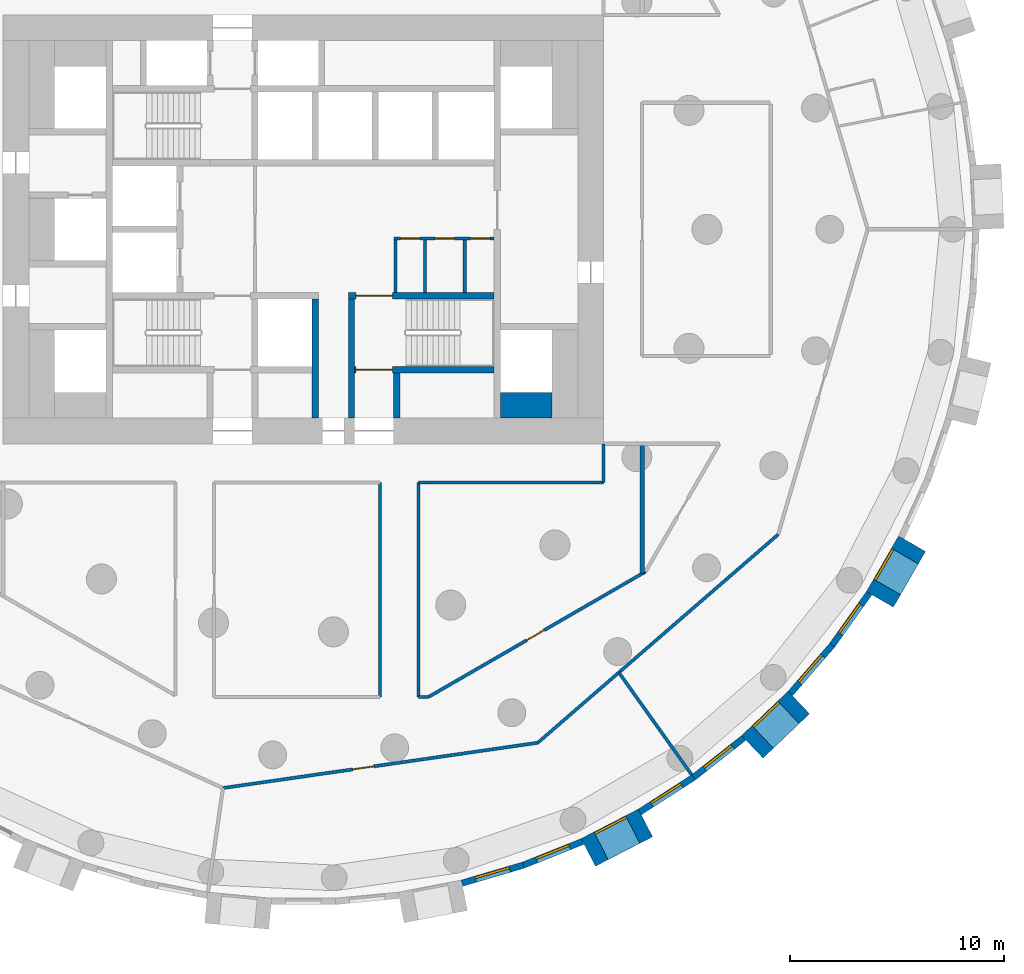
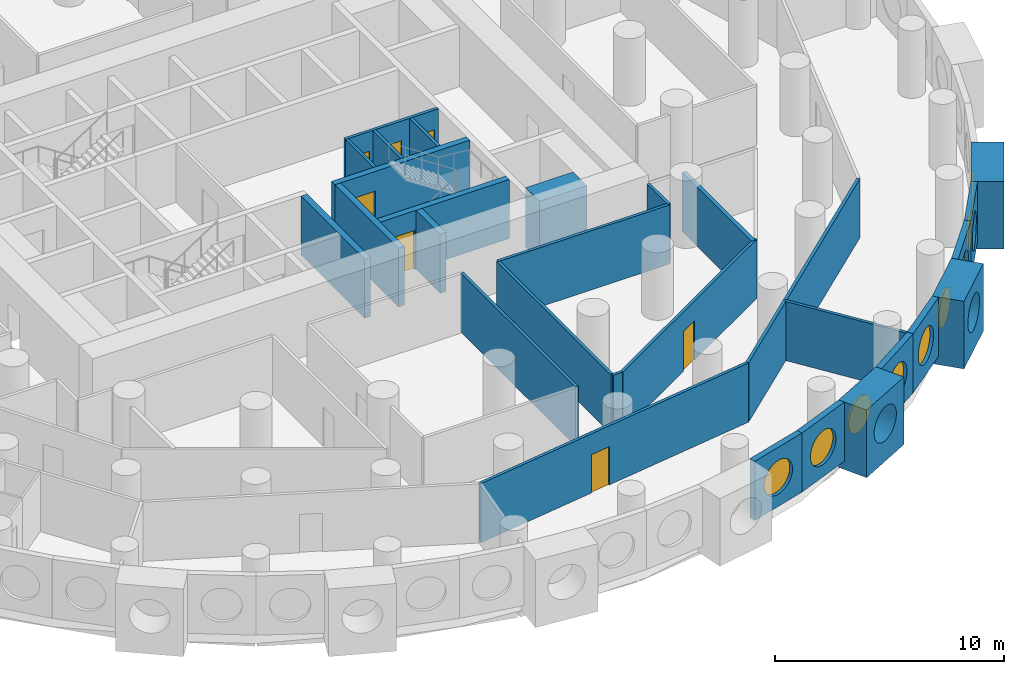
# One storey, part 5 of 12: 29 walls, 9 windows, 7 doors, 16 openings.
"""IFC4 building model written with IfcOpenShell, lengths in metres."""

from ifc_helpers import new_model, si_unit, direction, frame, frame_2d, origin, origin_2d, place, context, subcontext, project, spatial, rectangle, circle, extrude, material, layer, layer_set, type_object, element, fill, save


model = new_model("IFC4")

# Units and contexts
model_context = context("Model", 3, precision=1e-05, world=origin(), true_north=direction((0.0, 1.0)))
body_context = subcontext(model_context, "Body", "Model", "MODEL_VIEW")
ifc_project = project(units=[si_unit("LENGTHUNIT", "METRE"), si_unit("AREAUNIT", "SQUARE_METRE"), si_unit("VOLUMEUNIT", "CUBIC_METRE"), si_unit("PLANEANGLEUNIT", "RADIAN"), si_unit("MASSUNIT", "GRAM", prefix="KILO")], contexts=[model_context])

# Site, building, storey
site_placement = place(None, origin())
site = spatial("IfcSite", under=ifc_project, at=site_placement, CompositionType="ELEMENT")
building_placement = place(site_placement, origin())
building = spatial("IfcBuilding", under=site, at=building_placement, Name="Tracery Tower", CompositionType="ELEMENT")
storey_placement = place(building_placement, frame((0.0, 0.0, 85.800048828125)))
storey = spatial("IfcBuildingStorey", under=building, at=storey_placement, Name="L21", CompositionType="ELEMENT", Elevation=85.800048828125)

# Wall
ifc_material_1 = material(Name="Plasterboard on steel studs", Category="steel")
ifc_layer_1 = layer(ifc_material_1, 0.14990234375)
ifc_layer_set_1 = layer_set([ifc_layer_1], Name="Core room partition 150")
wall_type_1 = type_object("IfcWallType", Name="Core room partition 150", PredefinedType="SOLIDWALL", material=ifc_layer_set_1)
wall_1_placement = place(storey_placement, frame((4.300048828125, -2.949951171875, 0.0), z_axis=(0.0, 0.0, 1.0), x_axis=(0.0, 1.0, 0.0)))
element("IfcWall", 1, at=wall_1_placement, inside=storey, type_object=wall_type_1, Name="L21 slot W", PredefinedType="SOLIDWALL", context=body_context, shape_type="SweptSolid", body=[
    extrude(rectangle(XDim=2.449951171875, YDim=0.14990234375, at=frame_2d((1.22509765625, 0.0))), origin(), (0.0, 0.0, 1.0), 3.14990234375),
])

# Wall, openings, doors
wall_2_placement = place(storey_placement, frame((4.22509765625, -0.425048828125, 0.0), z_axis=(0.0, 0.0, 1.0), x_axis=(1.0, 0.0, 0.0)))
wall_2 = element("IfcWall", 2, at=wall_2_placement, inside=storey, type_object=wall_type_1, Name="L21 slot N", PredefinedType="SOLIDWALL", context=body_context, shape_type="SweptSolid", body=[
    extrude(rectangle(XDim=4.6748046875, YDim=0.14990234375, at=frame_2d((2.33740234375, 0.0))), origin(), (0.0, 0.0, 1.0), 3.14990234375),
])
opening_1_placement = place(wall_2_placement, frame((0.3125, 0.0, 0.0)))
opening_1 = element("IfcOpeningElement", 3, at=opening_1_placement, cuts=wall_2, Name="Opening KD32", PredefinedType="OPENING", context=body_context, shape_type="SweptSolid", body=[
    extrude(rectangle(XDim=0.89990234375, YDim=2.10009765625, at=frame_2d((0.449951171875, 1.050048828125))), frame((0.0, 0.074951171875, 0.0), z_axis=(0.0, -1.0, 0.0), x_axis=(1.0, 0.0, 0.0)), (0.0, 0.0, 1.0), 0.14990234375),
])
opening_2_placement = place(wall_2_placement, frame((1.925048828125, 0.0, 0.0)))
opening_2 = element("IfcOpeningElement", 4, at=opening_2_placement, cuts=wall_2, Name="Opening KD21", PredefinedType="OPENING", context=body_context, shape_type="SweptSolid", body=[
    extrude(rectangle(XDim=0.89990234375, YDim=2.10009765625, at=frame_2d((0.449951171875, 1.050048828125))), frame((0.0, 0.074951171875, 0.0), z_axis=(0.0, -1.0, 0.0), x_axis=(1.0, 0.0, 0.0)), (0.0, 0.0, 1.0), 0.14990234375),
])
opening_3_placement = place(wall_2_placement, frame((3.574951171875, 0.0, 0.0)))
opening_3 = element("IfcOpeningElement", 5, at=opening_3_placement, cuts=wall_2, Name="Opening KD27", PredefinedType="OPENING", context=body_context, shape_type="SweptSolid", body=[
    extrude(rectangle(XDim=0.89990234375, YDim=2.10009765625, at=frame_2d((0.449951171875, 1.050048828125))), frame((0.0, 0.074951171875, 0.0), z_axis=(0.0, -1.0, 0.0), x_axis=(1.0, 0.0, 0.0)), (0.0, 0.0, 1.0), 0.14990234375),
])
ifc_material_2 = material(Name="Timber door leaf", Category="wood")
door_type_1 = type_object("IfcDoorType", Name="Core WC door 900", OperationType="NOTDEFINED", PredefinedType="DOOR", material=ifc_material_2)
door_1_placement = place(opening_2_placement, origin())
door_1 = element("IfcDoor", 6, at=door_1_placement, inside=storey, type_object=door_type_1, Name="Core door", OperationType="SINGLE_SWING_LEFT", OverallHeight=2.10009765625, OverallWidth=0.89990234375, PredefinedType="DOOR", context=body_context, shape_type="SweptSolid", body=[
    extrude(rectangle(XDim=0.89990234375, YDim=2.10009765625, at=frame_2d((0.449951171875, 1.050048828125))), frame((0.0, 0.02490234375, 0.0), z_axis=(0.0, -1.0, 0.0), x_axis=(1.0, 0.0, 0.0)), (0.0, 0.0, 1.0), 0.050048828125),
])
fill(opening_2, door_1)
ifc_material_3 = material(Name="Steel fire door", Category="steel")
door_type_2 = type_object("IfcDoorType", Name="Core riser door 900", OperationType="NOTDEFINED", PredefinedType="DOOR", material=ifc_material_3)
door_2_placement = place(opening_1_placement, origin())
door_2 = element("IfcDoor", 7, at=door_2_placement, inside=storey, type_object=door_type_2, Name="Core door", OperationType="SINGLE_SWING_RIGHT", OverallHeight=2.10009765625, OverallWidth=0.89990234375, PredefinedType="DOOR", context=body_context, shape_type="SweptSolid", body=[
    extrude(rectangle(XDim=0.89990234375, YDim=2.10009765625, at=frame_2d((0.449951171875, 1.050048828125))), frame((0.0, 0.02490234375, 0.0), z_axis=(0.0, -1.0, 0.0), x_axis=(1.0, 0.0, 0.0)), (0.0, 0.0, 1.0), 0.050048828125),
])
fill(opening_1, door_2)
ifc_material_4 = material(Name="Timber door leaf", Category="wood")
door_type_3 = type_object("IfcDoorType", Name="Core store door 900", OperationType="NOTDEFINED", PredefinedType="DOOR", material=ifc_material_4)
door_3_placement = place(opening_3_placement, origin())
door_3 = element("IfcDoor", 8, at=door_3_placement, inside=storey, type_object=door_type_3, Name="Core door", OperationType="SINGLE_SWING_RIGHT", OverallHeight=2.10009765625, OverallWidth=0.89990234375, PredefinedType="DOOR", context=body_context, shape_type="SweptSolid", body=[
    extrude(rectangle(XDim=0.89990234375, YDim=2.10009765625, at=frame_2d((0.449951171875, 1.050048828125))), frame((0.0, 0.02490234375, 0.0), z_axis=(0.0, -1.0, 0.0), x_axis=(1.0, 0.0, 0.0)), (0.0, 0.0, 1.0), 0.050048828125),
])
fill(opening_3, door_3)

# Walls
for number, where, z_axis, x_axis, name in (
    (9, (5.675048828125, -2.949951171875, 0.0), (0.0, 0.0, 1.0), (0.0, 1.0, 0.0), "L21 slot sep 1"),
    (10, (7.52490234375, -2.949951171875, 0.0), (0.0, 0.0, 1.0), (0.0, 1.0, 0.0), "L21 slot sep 2"),
):
    element("IfcWall", number, at=place(storey_placement, frame(where, z_axis=z_axis, x_axis=x_axis)), inside=storey, type_object=wall_type_1, Name=name, PredefinedType="SOLIDWALL", context=body_context, shape_type="SweptSolid", body=[
        extrude(rectangle(XDim=2.449951171875, YDim=0.14990234375, at=frame_2d((1.22509765625, 0.0))), origin(), (0.0, 0.0, 1.0), 3.14990234375),
    ])
ifc_material_5 = material(Name="Concrete C60/75", Category="concrete")
ifc_layer_2 = layer(ifc_material_5, 1.199951171875)
ifc_layer_set_2 = layer_set([ifc_layer_2], Name="Core strip wall 1200 C60")
wall_type_2 = type_object("IfcWallType", Name="Core strip wall 1200 C60", PredefinedType="SOLIDWALL", material=ifc_layer_set_2)
wall_3_placement = place(storey_placement, frame((9.199951171875, -8.199951171875, 0.0), z_axis=(0.0, 0.0, 1.0), x_axis=(1.0, 0.0, 0.0)))
element("IfcWall", 11, at=wall_3_placement, inside=storey, type_object=wall_type_2, Name="L21 wing corner +1 -8.2", PredefinedType="SOLIDWALL", context=body_context, shape_type="SweptSolid", body=[
    extrude(rectangle(XDim=2.400146484375, YDim=1.199951171875, at=frame_2d((1.2001953125, 0.0))), origin(), (0.0, 0.0, 1.0), 3.14990234375),
])

# Wall, opening, window
ifc_material_6 = material(Name="Precast concrete C50/60", Category="concrete")
ifc_layer_3 = layer(ifc_material_6, 1.449951171875)
ifc_layer_set_3 = layer_set([ifc_layer_3], Name="Deep-set bay unit 3000 x 3600, slab edge 450")
wall_type_3 = type_object("IfcWallType", Name="Deep-set bay unit 3000 x 3600, slab edge 450", PredefinedType="ELEMENTEDWALL", material=ifc_layer_set_3)
wall_4_placement = place(storey_placement, frame((13.29052734375, -29.053466796875, -0.449951171875), z_axis=(0.0, 0.0, 1.0), x_axis=(0.888858064689, 0.458182650083, 0.0)))
wall_4 = element("IfcWall", 12, at=wall_4_placement, inside=storey, type_object=wall_type_3, Name="Deep-set bay unit 55 at L21", PredefinedType="ELEMENTEDWALL", context=body_context, shape_type="SweptSolid", body=[
    extrude(rectangle(XDim=3.0, YDim=1.449951171875, at=frame_2d((1.5, 0.0))), origin(), (0.0, 0.0, 1.0), 3.599853515625),
])
opening_4_placement = place(wall_4_placement, frame((1.5, 0.0, 2.0)))
opening_4 = element("IfcOpeningElement", 13, at=opening_4_placement, cuts=wall_4, Name="Opening WN1", PredefinedType="OPENING", context=body_context, shape_type="SweptSolid", body=[
    extrude(circle(Radius=0.9000244140625, at=origin_2d()), frame((0.0, 0.73486328125, 0.0), z_axis=(0.0, -1.0, 0.0), x_axis=(1.0, 0.0, 0.0)), (0.0, 0.0, 1.0), 1.469970703125),
])
ifc_material_7 = material(Name="Aluminium frame with tinted double glazing", Category="aluminium")
window_type = type_object("IfcWindowType", Name="Round window 1800", PartitioningType="SINGLE_PANEL", PredefinedType="WINDOW", material=ifc_material_7)
window_1_placement = place(opening_4_placement, origin())
window_1 = element("IfcWindow", 14, at=window_1_placement, inside=storey, type_object=window_type, Name="Round window 55 at L21", OverallHeight=1.800048828125, OverallWidth=1.800048828125, PartitioningType="SINGLE_PANEL", PredefinedType="WINDOW", context=body_context, shape_type="SweptSolid", body=[
    extrude(circle(Radius=0.9000244140625, at=origin_2d()), frame((0.0, 0.69482421875, 0.0), z_axis=(0.0, -1.0, 0.0), x_axis=(1.0, 0.0, 0.0)), (0.0, 0.0, 1.0), 0.10009765625),
])
fill(opening_4, window_1)

wall_5_placement = place(storey_placement, frame((20.9375, -24.13232421875, -0.449951171875), z_axis=(0.0, 0.0, 1.0), x_axis=(0.723712023899, 0.690102098579, 0.0)))
wall_5 = element("IfcWall", 15, at=wall_5_placement, inside=storey, type_object=wall_type_3, Name="Deep-set bay unit 58 at L21", PredefinedType="ELEMENTEDWALL", context=body_context, shape_type="SweptSolid", body=[
    extrude(rectangle(XDim=3.0, YDim=1.449951171875, at=frame_2d((1.5, 0.0))), origin(), (0.0, 0.0, 1.0), 3.599853515625),
])
opening_5_placement = place(wall_5_placement, frame((1.5, 0.0, 2.0)))
opening_5 = element("IfcOpeningElement", 16, at=opening_5_placement, cuts=wall_5, Name="Opening WN1", PredefinedType="OPENING", context=body_context, shape_type="SweptSolid", body=[
    extrude(circle(Radius=0.9000244140625, at=origin_2d()), frame((0.0, 0.73486328125, 0.0), z_axis=(0.0, -1.0, 0.0), x_axis=(1.0, 0.0, 0.0)), (0.0, 0.0, 1.0), 1.469970703125),
])
window_2_placement = place(opening_5_placement, origin())
window_2 = element("IfcWindow", 17, at=window_2_placement, inside=storey, type_object=window_type, Name="Round window 58 at L21", OverallHeight=1.800048828125, OverallWidth=1.800048828125, PartitioningType="SINGLE_PANEL", PredefinedType="WINDOW", context=body_context, shape_type="SweptSolid", body=[
    extrude(circle(Radius=0.9000244140625, at=origin_2d()), frame((0.0, 0.69482421875, 0.0), z_axis=(0.0, -1.0, 0.0), x_axis=(1.0, 0.0, 0.0)), (0.0, 0.0, 1.0), 0.10009765625),
])
fill(opening_5, window_2)

wall_6_placement = place(storey_placement, frame((26.88818359375, -17.256103515625, -0.449951171875), z_axis=(0.0, 0.0, 1.0), x_axis=(0.499990139034, 0.866031096941, 0.0)))
wall_6 = element("IfcWall", 18, at=wall_6_placement, inside=storey, type_object=wall_type_3, Name="Deep-set bay unit 61 at L21", PredefinedType="ELEMENTEDWALL", context=body_context, shape_type="SweptSolid", body=[
    extrude(rectangle(XDim=3.0, YDim=1.449951171875, at=frame_2d((1.5, 0.0))), origin(), (0.0, 0.0, 1.0), 3.599853515625),
])
opening_6_placement = place(wall_6_placement, frame((1.5, 0.0, 2.0)))
opening_6 = element("IfcOpeningElement", 19, at=opening_6_placement, cuts=wall_6, Name="Opening WN1", PredefinedType="OPENING", context=body_context, shape_type="SweptSolid", body=[
    extrude(circle(Radius=0.9000244140625, at=origin_2d()), frame((0.0, 0.73486328125, 0.0), z_axis=(0.0, -1.0, 0.0), x_axis=(1.0, 0.0, 0.0)), (0.0, 0.0, 1.0), 1.469970703125),
])
window_3_placement = place(opening_6_placement, origin())
window_3 = element("IfcWindow", 20, at=window_3_placement, inside=storey, type_object=window_type, Name="Round window 61 at L21", OverallHeight=1.800048828125, OverallWidth=1.800048828125, PartitioningType="SINGLE_PANEL", PredefinedType="WINDOW", context=body_context, shape_type="SweptSolid", body=[
    extrude(circle(Radius=0.9000244140625, at=origin_2d()), frame((0.0, 0.69482421875, 0.0), z_axis=(0.0, -1.0, 0.0), x_axis=(1.0, 0.0, 0.0)), (0.0, 0.0, 1.0), 0.10009765625),
])
fill(opening_6, window_3)

ifc_material_8 = material(Name="Precast concrete C50/60", Category="concrete")
ifc_layer_4 = layer(ifc_material_8, 0.300048828125)
ifc_layer_set_4 = layer_set([ifc_layer_4], Name="Facade panel 3000 x 3150")
wall_type_4 = type_object("IfcWallType", Name="Facade panel 3000 x 3150", PredefinedType="SOLIDWALL", material=ifc_layer_set_4)
wall_7_placement = place(storey_placement, frame((7.402587890625, -30.48828125, 0.0), z_axis=(0.0, 0.0, 1.0), x_axis=(0.959501085144, 0.281704930036, 0.0)))
wall_7 = element("IfcWall", 21, at=wall_7_placement, inside=storey, type_object=wall_type_4, Name="Facade panel 53 at L21", PredefinedType="SOLIDWALL", context=body_context, shape_type="SweptSolid", body=[
    extrude(rectangle(XDim=2.9794921875, YDim=0.300048828125, at=frame_2d((1.48974609375, 0.0))), origin(), (0.0, 0.0, 1.0), 3.14990234375),
])
opening_7_placement = place(wall_7_placement, frame((1.48974609375, 0.0, 1.5498046875)))
opening_7 = element("IfcOpeningElement", 22, at=opening_7_placement, cuts=wall_7, Name="Opening WN1", PredefinedType="OPENING", context=body_context, shape_type="SweptSolid", body=[
    extrude(circle(Radius=0.9000244140625, at=origin_2d()), frame((0.0, 0.159912109375, 0.0), z_axis=(0.0, -1.0, 0.0), x_axis=(1.0, 0.0, 0.0)), (0.0, 0.0, 1.0), 0.320068359375),
])
window_4_placement = place(opening_7_placement, origin())
window_4 = element("IfcWindow", 23, at=window_4_placement, inside=storey, type_object=window_type, Name="Round window 53 at L21", OverallHeight=1.800048828125, OverallWidth=1.800048828125, PartitioningType="SINGLE_PANEL", PredefinedType="WINDOW", context=body_context, shape_type="SweptSolid", body=[
    extrude(circle(Radius=0.9000244140625, at=origin_2d()), frame((0.0, 0.1201171875, 0.0), z_axis=(0.0, -1.0, 0.0), x_axis=(1.0, 0.0, 0.0)), (0.0, 0.0, 1.0), 0.10009765625),
])
fill(opening_7, window_4)

wall_8_placement = place(storey_placement, frame((10.261474609375, -29.64892578125, 0.0), z_axis=(0.0, 0.0, 1.0), x_axis=(0.928374947, 0.371644935098, 0.0)))
wall_8 = element("IfcWall", 24, at=wall_8_placement, inside=storey, type_object=wall_type_4, Name="Facade panel 54 at L21", PredefinedType="SOLIDWALL", context=body_context, shape_type="SweptSolid", body=[
    extrude(rectangle(XDim=2.979736328125, YDim=0.300048828125, at=frame_2d((1.48974609375, 0.0))), origin(), (0.0, 0.0, 1.0), 3.14990234375),
])
opening_8_placement = place(wall_8_placement, frame((1.48974609375, 0.0, 1.5498046875)))
opening_8 = element("IfcOpeningElement", 25, at=opening_8_placement, cuts=wall_8, Name="Opening WN1", PredefinedType="OPENING", context=body_context, shape_type="SweptSolid", body=[
    extrude(circle(Radius=0.9000244140625, at=origin_2d()), frame((0.0, 0.159912109375, 0.0), z_axis=(0.0, -1.0, 0.0), x_axis=(1.0, 0.0, 0.0)), (0.0, 0.0, 1.0), 0.320068359375),
])
window_5_placement = place(opening_8_placement, origin())
window_5 = element("IfcWindow", 26, at=window_5_placement, inside=storey, type_object=window_type, Name="Round window 54 at L21", OverallHeight=1.800048828125, OverallWidth=1.800048828125, PartitioningType="SINGLE_PANEL", PredefinedType="WINDOW", context=body_context, shape_type="SweptSolid", body=[
    extrude(circle(Radius=0.9000244140625, at=origin_2d()), frame((0.0, 0.1201171875, 0.0), z_axis=(0.0, -1.0, 0.0), x_axis=(1.0, 0.0, 0.0)), (0.0, 0.0, 1.0), 0.10009765625),
])
fill(opening_8, window_5)

wall_9_placement = place(storey_placement, frame((15.6923828125, -27.167724609375, 0.0), z_axis=(0.0, 0.0, 1.0), x_axis=(0.841260995538, 0.54062920508, 0.0)))
wall_9 = element("IfcWall", 27, at=wall_9_placement, inside=storey, type_object=wall_type_4, Name="Facade panel 56 at L21", PredefinedType="SOLIDWALL", context=body_context, shape_type="SweptSolid", body=[
    extrude(rectangle(XDim=2.9794921875, YDim=0.300048828125, at=frame_2d((1.48974609375, 0.0))), origin(), (0.0, 0.0, 1.0), 3.14990234375),
])
opening_9_placement = place(wall_9_placement, frame((1.48974609375, 0.0, 1.5498046875)))
opening_9 = element("IfcOpeningElement", 28, at=opening_9_placement, cuts=wall_9, Name="Opening WN1", PredefinedType="OPENING", context=body_context, shape_type="SweptSolid", body=[
    extrude(circle(Radius=0.9000244140625, at=origin_2d()), frame((0.0, 0.159912109375, 0.0), z_axis=(0.0, -1.0, 0.0), x_axis=(1.0, 0.0, 0.0)), (0.0, 0.0, 1.0), 0.320068359375),
])
window_6_placement = place(opening_9_placement, origin())
window_6 = element("IfcWindow", 29, at=window_6_placement, inside=storey, type_object=window_type, Name="Round window 56 at L21", OverallHeight=1.800048828125, OverallWidth=1.800048828125, PartitioningType="SINGLE_PANEL", PredefinedType="WINDOW", context=body_context, shape_type="SweptSolid", body=[
    extrude(circle(Radius=0.9000244140625, at=origin_2d()), frame((0.0, 0.1201171875, 0.0), z_axis=(0.0, -1.0, 0.0), x_axis=(1.0, 0.0, 0.0)), (0.0, 0.0, 1.0), 0.10009765625),
])
fill(opening_9, window_6)

wall_10_placement = place(storey_placement, frame((18.198974609375, -25.556884765625, 0.0), z_axis=(0.0, 0.0, 1.0), x_axis=(0.786053834673, 0.618158045322, 0.0)))
wall_10 = element("IfcWall", 30, at=wall_10_placement, inside=storey, type_object=wall_type_4, Name="Facade panel 57 at L21", PredefinedType="SOLIDWALL", context=body_context, shape_type="SweptSolid", body=[
    extrude(rectangle(XDim=2.9794921875, YDim=0.300048828125, at=frame_2d((1.48974609375, 0.0))), origin(), (0.0, 0.0, 1.0), 3.14990234375),
])
opening_10_placement = place(wall_10_placement, frame((1.48974609375, 0.0, 1.5498046875)))
opening_10 = element("IfcOpeningElement", 31, at=opening_10_placement, cuts=wall_10, Name="Opening WN1", PredefinedType="OPENING", context=body_context, shape_type="SweptSolid", body=[
    extrude(circle(Radius=0.9000244140625, at=origin_2d()), frame((0.0, 0.159912109375, 0.0), z_axis=(0.0, -1.0, 0.0), x_axis=(1.0, 0.0, 0.0)), (0.0, 0.0, 1.0), 0.320068359375),
])
window_7_placement = place(opening_10_placement, origin())
window_7 = element("IfcWindow", 32, at=window_7_placement, inside=storey, type_object=window_type, Name="Round window 57 at L21", OverallHeight=1.800048828125, OverallWidth=1.800048828125, PartitioningType="SINGLE_PANEL", PredefinedType="WINDOW", context=body_context, shape_type="SweptSolid", body=[
    extrude(circle(Radius=0.9000244140625, at=origin_2d()), frame((0.0, 0.1201171875, 0.0), z_axis=(0.0, -1.0, 0.0), x_axis=(1.0, 0.0, 0.0)), (0.0, 0.0, 1.0), 0.10009765625),
])
fill(opening_10, window_7)

wall_11_placement = place(storey_placement, frame((22.710693359375, -21.646240234375, 0.0), z_axis=(0.0, 0.0, 1.0), x_axis=(0.654830712471, 0.755775587066, 0.0)))
wall_11 = element("IfcWall", 33, at=wall_11_placement, inside=storey, type_object=wall_type_4, Name="Facade panel 59 at L21", PredefinedType="SOLIDWALL", context=body_context, shape_type="SweptSolid", body=[
    extrude(rectangle(XDim=2.979736328125, YDim=0.300048828125, at=frame_2d((1.48974609375, 0.0))), origin(), (0.0, 0.0, 1.0), 3.14990234375),
])
opening_11_placement = place(wall_11_placement, frame((1.48974609375, 0.0, 1.5498046875)))
opening_11 = element("IfcOpeningElement", 34, at=opening_11_placement, cuts=wall_11, Name="Opening WN1", PredefinedType="OPENING", context=body_context, shape_type="SweptSolid", body=[
    extrude(circle(Radius=0.9000244140625, at=origin_2d()), frame((0.0, 0.159912109375, 0.0), z_axis=(0.0, -1.0, 0.0), x_axis=(1.0, 0.0, 0.0)), (0.0, 0.0, 1.0), 0.320068359375),
])
window_8_placement = place(opening_11_placement, origin())
window_8 = element("IfcWindow", 35, at=window_8_placement, inside=storey, type_object=window_type, Name="Round window 59 at L21", OverallHeight=1.800048828125, OverallWidth=1.800048828125, PartitioningType="SINGLE_PANEL", PredefinedType="WINDOW", context=body_context, shape_type="SweptSolid", body=[
    extrude(circle(Radius=0.9000244140625, at=origin_2d()), frame((0.0, 0.1201171875, 0.0), z_axis=(0.0, -1.0, 0.0), x_axis=(1.0, 0.0, 0.0)), (0.0, 0.0, 1.0), 0.10009765625),
])
fill(opening_11, window_8)

wall_12_placement = place(storey_placement, frame((24.661865234375, -19.394287109375, 0.0), z_axis=(0.0, 0.0, 1.0), x_axis=(0.580113774115, 0.814535456, 0.0)))
wall_12 = element("IfcWall", 36, at=wall_12_placement, inside=storey, type_object=wall_type_4, Name="Facade panel 60 at L21", PredefinedType="SOLIDWALL", context=body_context, shape_type="SweptSolid", body=[
    extrude(rectangle(XDim=2.979736328125, YDim=0.300048828125, at=frame_2d((1.48974609375, 0.0))), origin(), (0.0, 0.0, 1.0), 3.14990234375),
])
opening_12_placement = place(wall_12_placement, frame((1.48974609375, 0.0, 1.5498046875)))
opening_12 = element("IfcOpeningElement", 37, at=opening_12_placement, cuts=wall_12, Name="Opening WN1", PredefinedType="OPENING", context=body_context, shape_type="SweptSolid", body=[
    extrude(circle(Radius=0.9000244140625, at=origin_2d()), frame((0.0, 0.159912109375, 0.0), z_axis=(0.0, -1.0, 0.0), x_axis=(1.0, 0.0, 0.0)), (0.0, 0.0, 1.0), 0.320068359375),
])
window_9_placement = place(opening_12_placement, origin())
window_9 = element("IfcWindow", 38, at=window_9_placement, inside=storey, type_object=window_type, Name="Round window 60 at L21", OverallHeight=1.800048828125, OverallWidth=1.800048828125, PartitioningType="SINGLE_PANEL", PredefinedType="WINDOW", context=body_context, shape_type="SweptSolid", body=[
    extrude(circle(Radius=0.9000244140625, at=origin_2d()), frame((0.0, 0.1201171875, 0.0), z_axis=(0.0, -1.0, 0.0), x_axis=(1.0, 0.0, 0.0)), (0.0, 0.0, 1.0), 0.10009765625),
])
fill(opening_12, window_9)

# Walls
ifc_material_9 = material(Name="Plasterboard on steel studs", Category="steel")
ifc_layer_5 = layer(ifc_material_9, 0.14990234375)
ifc_layer_set_5 = layer_set([ifc_layer_5], Name="Partition 150 acoustic unit wall")
wall_type_5 = type_object("IfcWallType", Name="Partition 150 acoustic unit wall", PredefinedType="PARTITIONING", material=ifc_layer_set_5)
wall_13_placement = place(storey_placement, frame((14.715087890625, -20.6640625, 0.0), z_axis=(0.0, 0.0, 1.0), x_axis=(0.580007254017, -0.814611309329, 0.0)))
element("IfcWall", 39, at=wall_13_placement, inside=storey, type_object=wall_type_5, Name="Unit wall RA6-099", PredefinedType="PARTITIONING", context=body_context, shape_type="SweptSolid", body=[
    extrude(rectangle(XDim=5.856689453125, YDim=0.14990234375, at=frame_2d((2.92822265625, 0.0))), origin(), (0.0, 0.0, 1.0), 3.14990234375),
])
ifc_material_10 = material(Name="Plasterboard on steel studs", Category="steel")
ifc_layer_6 = layer(ifc_material_10, 0.14990234375)
ifc_layer_set_6 = layer_set([ifc_layer_6], Name="Partition 150 corridor wall")
wall_type_6 = type_object("IfcWallType", Name="Partition 150 corridor wall", PredefinedType="PARTITIONING", material=ifc_layer_set_6)
wall_14_placement = place(storey_placement, frame((14.0, -11.800048828125, 0.0), z_axis=(0.0, 0.0, 1.0), x_axis=(0.0, 1.0, 0.0)))
element("IfcWall", 40, at=wall_14_placement, inside=storey, type_object=wall_type_6, Name="Corridor wall RA6-008", PredefinedType="PARTITIONING", context=body_context, shape_type="SweptSolid", body=[
    extrude(rectangle(XDim=1.800048828125, YDim=0.14990234375, at=frame_2d((0.89990234375, 0.0))), origin(), (0.0, 0.0, 1.0), 3.14990234375),
])
wall_15_placement = place(storey_placement, frame((5.3720703125, -11.800048828125, 0.0), z_axis=(0.0, 0.0, 1.0), x_axis=(1.0, 0.0, 0.0)))
element("IfcWall", 41, at=wall_15_placement, inside=storey, type_object=wall_type_6, Name="Corridor wall RA6-009", PredefinedType="PARTITIONING", context=body_context, shape_type="SweptSolid", body=[
    extrude(rectangle(XDim=8.6279296875, YDim=0.14990234375, at=frame_2d((4.31396484375, 0.0))), origin(), (0.0, 0.0, 1.0), 3.14990234375),
])
wall_16_placement = place(storey_placement, frame((10.93310546875, -23.940185546875, 0.0), z_axis=(0.0, 0.0, 1.0), x_axis=(0.755770011705, 0.654837147242, 0.0)))
element("IfcWall", 42, at=wall_16_placement, inside=storey, type_object=wall_type_6, Name="Corridor wall RA6-023", PredefinedType="PARTITIONING", context=body_context, shape_type="SweptSolid", body=[
    extrude(rectangle(XDim=14.829833984375, YDim=0.14990234375, at=frame_2d((7.4150390625, 0.0))), origin(), (0.0, 0.0, 1.0), 3.14990234375),
])
for number, where, z_axis, x_axis, name in (
    (43, (3.575927734375, -21.802001953125, 0.0), (0.0, 0.0, 1.0), (0.0, 1.0, 0.0), "Corridor wall RA6-048"),
    (44, (5.3759765625, -21.802001953125, 0.0), (0.0, 0.0, 1.0), (0.0, 1.0, 0.0), "Corridor wall RA6-049"),
):
    element("IfcWall", number, at=place(storey_placement, frame(where, z_axis=z_axis, x_axis=x_axis)), inside=storey, type_object=wall_type_6, Name=name, PredefinedType="PARTITIONING", context=body_context, shape_type="SweptSolid", body=[
        extrude(rectangle(XDim=10.001953125, YDim=0.14990234375, at=frame_2d((5.0009765625, 0.0))), origin(), (0.0, 0.0, 1.0), 3.14990234375),
    ])
wall_17_placement = place(storey_placement, frame((5.3759765625, -21.802001953125, 0.0), z_axis=(0.0, 0.0, 1.0), x_axis=(1.0, 0.0, 0.0)))
element("IfcWall", 45, at=wall_17_placement, inside=storey, type_object=wall_type_6, Name="Corridor wall RA6-050", PredefinedType="PARTITIONING", context=body_context, shape_type="SweptSolid", body=[
    extrude(rectangle(XDim=0.466064453125, YDim=0.14990234375, at=frame_2d((0.23291015625, 0.0))), origin(), (0.0, 0.0, 1.0), 3.14990234375),
])

# Wall, opening, door
wall_18_placement = place(storey_placement, frame((5.842041015625, -21.802001953125, 0.0), z_axis=(0.0, 0.0, 1.0), x_axis=(0.866031778836, 0.499988957924, 0.0)))
wall_18 = element("IfcWall", 46, at=wall_18_placement, inside=storey, type_object=wall_type_6, Name="Corridor wall RA6-051", PredefinedType="PARTITIONING", context=body_context, shape_type="SweptSolid", body=[
    extrude(rectangle(XDim=11.683349609375, YDim=0.14990234375, at=frame_2d((5.841796875, 0.0))), origin(), (0.0, 0.0, 1.0), 3.14990234375),
])
opening_13_placement = place(wall_18_placement, frame((5.27392578125, 0.0, 0.0)))
opening_13 = element("IfcOpeningElement", 47, at=opening_13_placement, cuts=wall_18, Name="Opening RA6-06", PredefinedType="OPENING", context=body_context, shape_type="SweptSolid", body=[
    extrude(rectangle(XDim=0.949951171875, YDim=2.10009765625, at=frame_2d((0.47509765625, 1.050048828125))), frame((0.0, 0.074951171875, 0.0), z_axis=(0.0, -1.0, 0.0), x_axis=(1.0, 0.0, 0.0)), (0.0, 0.0, 1.0), 0.14990234375),
])
ifc_material_11 = material(Name="Timber door leaf", Category="wood")
door_type_4 = type_object("IfcDoorType", Name="Door store 950", OperationType="NOTDEFINED", PredefinedType="DOOR", material=ifc_material_11)
door_4_placement = place(opening_13_placement, origin())
door_4 = element("IfcDoor", 48, at=door_4_placement, inside=storey, type_object=door_type_4, Name="Store door RA6-06", OperationType="SINGLE_SWING_LEFT", OverallHeight=2.10009765625, OverallWidth=0.949951171875, PredefinedType="DOOR", context=body_context, shape_type="SweptSolid", body=[
    extrude(rectangle(XDim=0.949951171875, YDim=2.10009765625, at=frame_2d((0.47509765625, 1.050048828125))), frame((0.0, 0.02490234375, 0.0), z_axis=(0.0, -1.0, 0.0), x_axis=(1.0, 0.0, 0.0)), (0.0, 0.0, 1.0), 0.050048828125),
])
fill(opening_13, door_4)

wall_19_placement = place(storey_placement, frame((-3.74609375, -26.051025390625, 0.0), z_axis=(0.0, 0.0, 1.0), x_axis=(0.98981637125, 0.142350100825, 0.0)))
wall_19 = element("IfcWall", 49, at=wall_19_placement, inside=storey, type_object=wall_type_6, Name="Corridor wall RA6-053", PredefinedType="PARTITIONING", context=body_context, shape_type="SweptSolid", body=[
    extrude(rectangle(XDim=14.830322265625, YDim=0.14990234375, at=frame_2d((7.4150390625, 0.0))), origin(), (0.0, 0.0, 1.0), 3.14990234375),
])
opening_14_placement = place(wall_19_placement, frame((6.114990234375, 0.0, 0.0)))
opening_14 = element("IfcOpeningElement", 50, at=opening_14_placement, cuts=wall_19, Name="Opening RA6-41", PredefinedType="OPENING", context=body_context, shape_type="SweptSolid", body=[
    extrude(rectangle(XDim=1.0, YDim=2.0400390625, at=frame_2d((0.5, 1.02001953125))), frame((0.0, 0.074951171875, 0.0), z_axis=(0.0, -1.0, 0.0), x_axis=(1.0, 0.0, 0.0)), (0.0, 0.0, 1.0), 0.14990234375),
])
ifc_material_12 = material(Name="Timber door leaf", Category="wood")
door_type_5 = type_object("IfcDoorType", Name="Door communal room 1000", OperationType="NOTDEFINED", PredefinedType="DOOR", material=ifc_material_12)
door_5_placement = place(opening_14_placement, origin())
door_5 = element("IfcDoor", 51, at=door_5_placement, inside=storey, type_object=door_type_5, Name="Communal room door RA6-41", OperationType="SINGLE_SWING_RIGHT", OverallHeight=2.0400390625, OverallWidth=1.0, PredefinedType="DOOR", context=body_context, shape_type="SweptSolid", body=[
    extrude(rectangle(XDim=1.0, YDim=2.0400390625, at=frame_2d((0.5, 1.02001953125))), frame((0.0, 0.02490234375, 0.0), z_axis=(0.0, -1.0, 0.0), x_axis=(1.0, 0.0, 0.0)), (0.0, 0.0, 1.0), 0.050048828125),
])
fill(opening_14, door_5)

# Walls
ifc_material_13 = material(Name="Plasterboard on steel studs", Category="steel")
ifc_layer_7 = layer(ifc_material_13, 0.199951171875)
ifc_layer_set_7 = layer_set([ifc_layer_7], Name="Partition 200 compartment wall")
wall_type_7 = type_object("IfcWallType", Name="Partition 200 compartment wall", PredefinedType="PARTITIONING", material=ifc_layer_set_7)
wall_20_placement = place(storey_placement, frame((15.800048828125, -16.052978515625, 0.0), z_axis=(0.0, 0.0, 1.0), x_axis=(0.0, 1.0, 0.0)))
element("IfcWall", 52, at=wall_20_placement, inside=storey, type_object=wall_type_7, Name="Compartment wall RA6-057", PredefinedType="PARTITIONING", context=body_context, shape_type="SweptSolid", body=[
    extrude(rectangle(XDim=6.052978515625, YDim=0.199951171875, at=frame_2d((3.0263671875, 0.0))), origin(), (0.0, 0.0, 1.0), 3.14990234375),
])
ifc_material_14 = material(Name="Concrete C60/75", Category="concrete")
ifc_layer_8 = layer(ifc_material_14, 0.300048828125)
ifc_layer_set_8 = layer_set([ifc_layer_8], Name="Shaft wall 300 C60")
wall_type_8 = type_object("IfcWallType", Name="Shaft wall 300 C60", PredefinedType="SOLIDWALL", material=ifc_layer_set_8)
wall_21_placement = place(storey_placement, frame((0.550048828125, -8.800048828125, 0.0), z_axis=(0.0, 0.0, 1.0), x_axis=(0.0, 1.0, 0.0)))
element("IfcWall", 53, at=wall_21_placement, inside=storey, type_object=wall_type_8, Name="L21 OB2 E", PredefinedType="SOLIDWALL", context=body_context, shape_type="SweptSolid", body=[
    extrude(rectangle(XDim=5.550048828125, YDim=0.300048828125, at=frame_2d((2.77490234375, 0.0))), origin(), (0.0, 0.0, 1.0), 3.14990234375),
])
wall_22_placement = place(storey_placement, frame((4.35009765625, -8.800048828125, 0.0), z_axis=(0.0, 0.0, 1.0), x_axis=(0.0, 1.0, 0.0)))
element("IfcWall", 54, at=wall_22_placement, inside=storey, type_object=wall_type_8, Name="L21 band S +4.35", PredefinedType="SOLIDWALL", context=body_context, shape_type="SweptSolid", body=[
    extrude(rectangle(XDim=2.10009765625, YDim=0.300048828125, at=frame_2d((1.050048828125, 0.0))), origin(), (0.0, 0.0, 1.0), 3.14990234375),
])

# Wall, opening, door
ifc_material_15 = material(Name="Concrete C60/75", Category="concrete")
ifc_layer_9 = layer(ifc_material_15, 0.300048828125)
ifc_layer_set_9 = layer_set([ifc_layer_9], Name="Stair wall 300 C60")
wall_type_9 = type_object("IfcWallType", Name="Stair wall 300 C60", PredefinedType="SOLIDWALL", material=ifc_layer_set_9)
wall_23_placement = place(storey_placement, frame((2.10009765625, -3.10009765625, 0.0), z_axis=(0.0, 0.0, 1.0), x_axis=(1.0, 0.0, 0.0)))
wall_23 = element("IfcWall", 55, at=wall_23_placement, inside=storey, type_object=wall_type_9, Name="L21 row S E", PredefinedType="SOLIDWALL", context=body_context, shape_type="SweptSolid", body=[
    extrude(rectangle(XDim=6.7998046875, YDim=0.300048828125, at=frame_2d((3.39990234375, 0.0))), origin(), (0.0, 0.0, 1.0), 3.14990234375),
])
opening_15_placement = place(wall_23_placement, frame((0.35009765625, 0.0, 0.0)))
opening_15 = element("IfcOpeningElement", 56, at=opening_15_placement, cuts=wall_23, Name="Opening KD3", PredefinedType="OPENING", context=body_context, shape_type="SweptSolid", body=[
    extrude(rectangle(XDim=1.699951171875, YDim=2.10009765625, at=frame_2d((0.85009765625, 1.050048828125))), frame((0.0, 0.14990234375, 0.0), z_axis=(0.0, -1.0, 0.0), x_axis=(1.0, 0.0, 0.0)), (0.0, 0.0, 1.0), 0.300048828125),
])
ifc_material_16 = material(Name="Steel fire door", Category="steel")
door_type_6 = type_object("IfcDoorType", Name="Core stair door 1700 double", OperationType="NOTDEFINED", PredefinedType="DOOR", material=ifc_material_16)
door_6_placement = place(opening_15_placement, origin())
door_6 = element("IfcDoor", 57, at=door_6_placement, inside=storey, type_object=door_type_6, Name="Stair door ST2", OperationType="DOUBLE_DOOR_SINGLE_SWING", OverallHeight=2.10009765625, OverallWidth=1.699951171875, PredefinedType="DOOR", context=body_context, shape_type="SweptSolid", body=[
    extrude(rectangle(XDim=1.699951171875, YDim=2.10009765625, at=frame_2d((0.85009765625, 1.050048828125))), frame((0.0, 0.02490234375, 0.0), z_axis=(0.0, -1.0, 0.0), x_axis=(1.0, 0.0, 0.0)), (0.0, 0.0, 1.0), 0.050048828125),
])
fill(opening_15, door_6)

# Wall
wall_24_placement = place(storey_placement, frame((2.25, -8.800048828125, 0.0), z_axis=(0.0, 0.0, 1.0), x_axis=(0.0, 1.0, 0.0)))
element("IfcWall", 58, at=wall_24_placement, inside=storey, type_object=wall_type_9, Name="L21 ST2 W", PredefinedType="SOLIDWALL", context=body_context, shape_type="SweptSolid", body=[
    extrude(rectangle(XDim=5.550048828125, YDim=0.300048828125, at=frame_2d((2.77490234375, 0.0))), origin(), (0.0, 0.0, 1.0), 3.14990234375),
])

# Wall, opening, door
wall_25_placement = place(storey_placement, frame((2.39990234375, -6.550048828125, 0.0), z_axis=(0.0, 0.0, 1.0), x_axis=(1.0, 0.0, 0.0)))
wall_25 = element("IfcWall", 59, at=wall_25_placement, inside=storey, type_object=wall_type_9, Name="L21 F S E", PredefinedType="SOLIDWALL", context=body_context, shape_type="SweptSolid", body=[
    extrude(rectangle(XDim=6.5, YDim=0.300048828125, at=frame_2d((3.25, 0.0))), origin(), (0.0, 0.0, 1.0), 3.14990234375),
])
opening_16_placement = place(wall_25_placement, frame((0.050048828125, 0.0, 0.0)))
opening_16 = element("IfcOpeningElement", 60, at=opening_16_placement, cuts=wall_25, Name="Opening KD3", PredefinedType="OPENING", context=body_context, shape_type="SweptSolid", body=[
    extrude(rectangle(XDim=1.699951171875, YDim=2.10009765625, at=frame_2d((0.85009765625, 1.050048828125))), frame((0.0, 0.14990234375, 0.0), z_axis=(0.0, -1.0, 0.0), x_axis=(1.0, 0.0, 0.0)), (0.0, 0.0, 1.0), 0.300048828125),
])
door_7_placement = place(opening_16_placement, origin())
door_7 = element("IfcDoor", 61, at=door_7_placement, inside=storey, type_object=door_type_6, Name="Stair door ST2 S", OperationType="DOUBLE_DOOR_SINGLE_SWING", OverallHeight=2.10009765625, OverallWidth=1.699951171875, PredefinedType="DOOR", context=body_context, shape_type="SweptSolid", body=[
    extrude(rectangle(XDim=1.699951171875, YDim=2.10009765625, at=frame_2d((0.85009765625, 1.050048828125))), frame((0.0, 0.02490234375, 0.0), z_axis=(0.0, -1.0, 0.0), x_axis=(1.0, 0.0, 0.0)), (0.0, 0.0, 1.0), 0.050048828125),
])
fill(opening_16, door_7)

save(model, "model.ifc")
